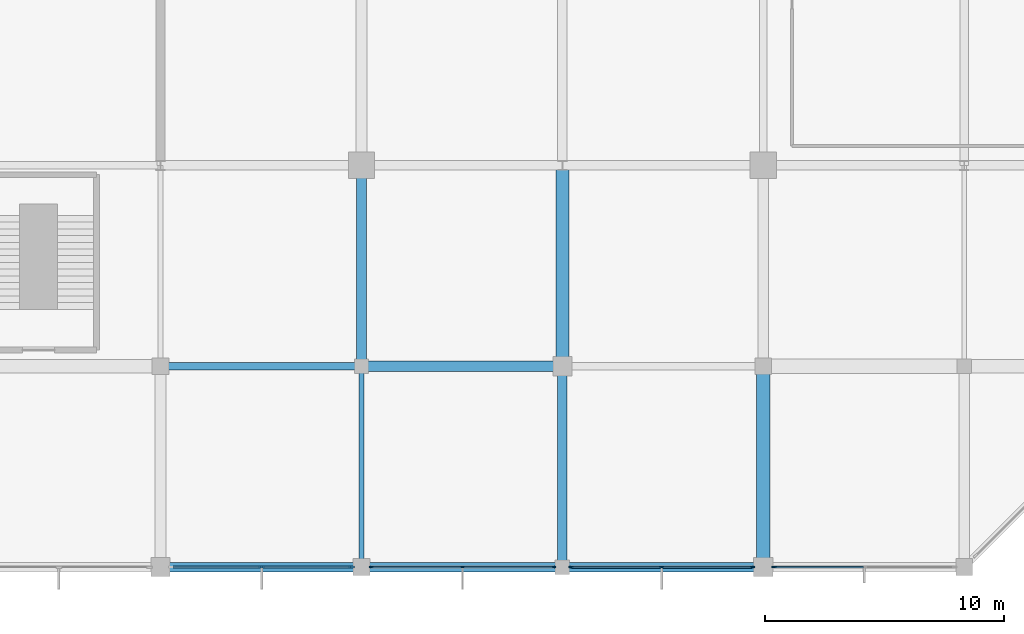
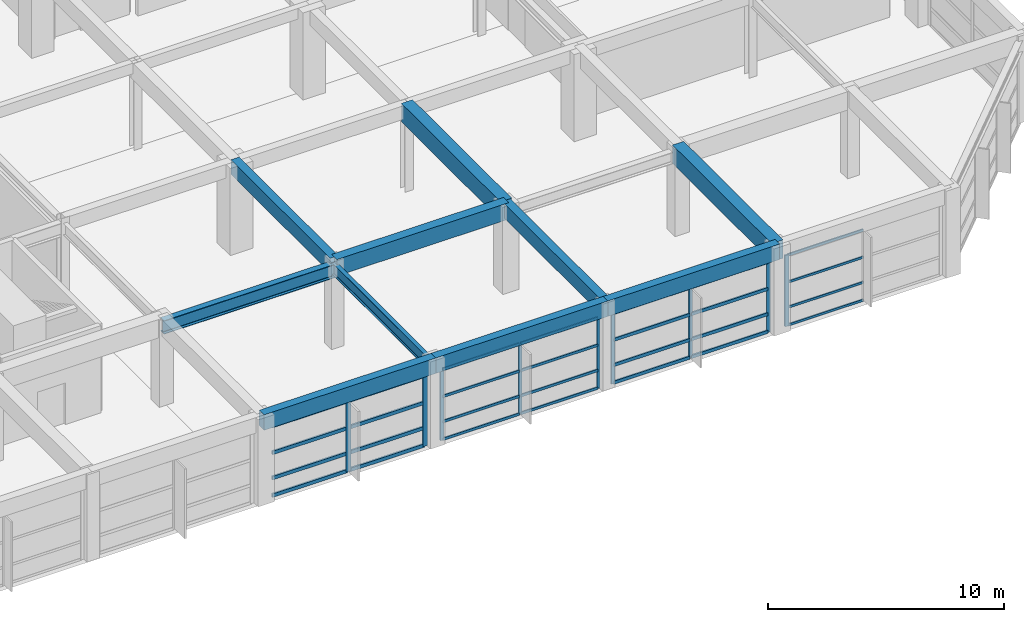
# One storey, part 33 of 62: 37 members, 10 beams, 4 elements without a shape of their own.
"""IFC4 building model written with IfcOpenShell, lengths in metres."""

from ifc_helpers import new_model, si_unit, direction, frame, origin, origin_2d, place, context, subcontext, project, spatial, rectangle, i_section, extrude, material, material_profile, profile_set, type_object, element, aggregate, save


model = new_model("IFC4")

# Units and contexts
model_context = context("Model", 3, precision=1e-05, world=origin(), true_north=direction((0.0, 1.0)))
body_context = subcontext(model_context, "Body", "Model", "MODEL_VIEW")
ifc_project = project(units=[si_unit("LENGTHUNIT", "METRE"), si_unit("AREAUNIT", "SQUARE_METRE"), si_unit("VOLUMEUNIT", "CUBIC_METRE"), si_unit("PLANEANGLEUNIT", "RADIAN"), si_unit("MASSUNIT", "GRAM", prefix="KILO")], contexts=[model_context])

# Site, building, storey
site_placement = place(None, origin())
site = spatial("IfcSite", under=ifc_project, at=site_placement, CompositionType="ELEMENT")
building_placement = place(site_placement, origin())
building = spatial("IfcBuilding", under=site, at=building_placement, Name="Xuanlan Plaza Opera House", CompositionType="ELEMENT")
storey_placement = place(building_placement, frame((0.0, 0.0, 14.39990234375)))
storey = spatial("IfcBuildingStorey", under=building, at=storey_placement, Name="L03", CompositionType="ELEMENT", Elevation=14.39990234375)

# Curtain wall, members
ifc_material_1 = material(Name="Anodised Aluminium 6063-T6 and Low-E Glass", Category="aluminium")
curtain_wall_type_1 = type_object("IfcCurtainWallType", Name="ENV-CW-CW-01", PredefinedType="USERDEFINED", material=ifc_material_1)
curtain_wall_1_placement = place(storey_placement, origin())
curtain_wall_1 = element("IfcCurtainWall", 1, at=curtain_wall_1_placement, inside=storey, type_object=curtain_wall_type_1, Name="Unitised Curtain Wall L03-016", ObjectType="UNITISED CURTAIN WALL", PredefinedType="USERDEFINED")
ifc_material_2 = material(Name="Anodised Aluminium 6063-T6", Category="aluminium")
ifc_material_profile_1 = material_profile(ifc_material_2, rectangle(XDim=0.06494140625, YDim=0.159912109375, at=origin_2d()), Name="ALU-M 65x160")
ifc_profile_set_1 = profile_set([ifc_material_profile_1], Name="Anodised Aluminium 6063-T6")
member_type_1 = type_object("IfcMemberType", Name="ENV-CWM-01", PredefinedType="MULLION", material=ifc_profile_set_1)
member_1_placement = place(storey_placement, frame((134.802490234375, 16.800048828125, 0.0), z_axis=(0.0, 0.0, 1.0), x_axis=(0.0, 1.0, 0.0)))
member_1 = element("IfcMember", 2, at=member_1_placement, type_object=member_type_1, Name="CW-01 mullion 1", PredefinedType="MULLION", context=body_context, shape_type="SweptSolid", body=[
    extrude(rectangle(XDim=0.06494140625, YDim=0.159912109375, at=origin_2d()), origin(), (0.0, 0.0, 1.0), 3.68017578125),
])
member_2_placement = place(storey_placement, frame((138.625, 16.800048828125, 0.0), z_axis=(0.0, 0.0, 1.0), x_axis=(0.0, 1.0, 0.0)))
member_2 = element("IfcMember", 3, at=member_2_placement, type_object=member_type_1, Name="CW-01 mullion 2", PredefinedType="MULLION", context=body_context, shape_type="SweptSolid", body=[
    extrude(rectangle(XDim=0.06494140625, YDim=0.159912109375, at=origin_2d()), origin(), (0.0, 0.0, 1.0), 3.68017578125),
])
member_3_placement = place(storey_placement, frame((142.447509765625, 16.800048828125, 0.0), z_axis=(0.0, 0.0, 1.0), x_axis=(0.0, 1.0, 0.0)))
member_3 = element("IfcMember", 4, at=member_3_placement, type_object=member_type_1, Name="CW-01 mullion 3", PredefinedType="MULLION", context=body_context, shape_type="SweptSolid", body=[
    extrude(rectangle(XDim=0.06494140625, YDim=0.159912109375, at=origin_2d()), origin(), (0.0, 0.0, 1.0), 3.68017578125),
])

curtain_wall_type_2 = type_object("IfcCurtainWallType", Name="ENV-CW-CW-02", PredefinedType="USERDEFINED", material=ifc_material_1)
curtain_wall_2_placement = place(storey_placement, origin())
curtain_wall_2 = element("IfcCurtainWall", 5, at=curtain_wall_2_placement, inside=storey, type_object=curtain_wall_type_2, Name="Unitised Curtain Wall L03-017", ObjectType="UNITISED CURTAIN WALL", PredefinedType="USERDEFINED")
ifc_material_profile_2 = material_profile(ifc_material_2, rectangle(XDim=0.070068359375, YDim=0.179931640625, at=origin_2d()), Name="ALU-M 70x180")
ifc_profile_set_2 = profile_set([ifc_material_profile_2], Name="Anodised Aluminium 6063-T6")
member_type_2 = type_object("IfcMemberType", Name="ENV-CWM-02", PredefinedType="MULLION", material=ifc_profile_set_2)
member_4_placement = place(storey_placement, frame((143.155029296875, 16.800048828125, 0.0), z_axis=(0.0, 0.0, 1.0), x_axis=(0.0, 1.0, 0.0)))
member_4 = element("IfcMember", 6, at=member_4_placement, type_object=member_type_2, Name="CW-02 mullion 1", PredefinedType="MULLION", context=body_context, shape_type="SweptSolid", body=[
    extrude(rectangle(XDim=0.070068359375, YDim=0.179931640625, at=origin_2d()), origin(), (0.0, 0.0, 1.0), 3.68017578125),
])
member_5_placement = place(storey_placement, frame((146.949951171875, 16.800048828125, 0.0), z_axis=(0.0, 0.0, 1.0), x_axis=(0.0, 1.0, 0.0)))
member_5 = element("IfcMember", 7, at=member_5_placement, type_object=member_type_2, Name="CW-02 mullion 2", PredefinedType="MULLION", context=body_context, shape_type="SweptSolid", body=[
    extrude(rectangle(XDim=0.070068359375, YDim=0.179931640625, at=origin_2d()), origin(), (0.0, 0.0, 1.0), 3.68017578125),
])
member_6_placement = place(storey_placement, frame((150.7451171875, 16.800048828125, 0.0), z_axis=(0.0, 0.0, 1.0), x_axis=(0.0, 1.0, 0.0)))
member_6 = element("IfcMember", 8, at=member_6_placement, type_object=member_type_2, Name="CW-02 mullion 3", PredefinedType="MULLION", context=body_context, shape_type="SweptSolid", body=[
    extrude(rectangle(XDim=0.070068359375, YDim=0.179931640625, at=origin_2d()), origin(), (0.0, 0.0, 1.0), 3.68017578125),
])

# Curtain wall, member
curtain_wall_type_3 = type_object("IfcCurtainWallType", Name="ENV-CW-CW-03", PredefinedType="USERDEFINED", material=ifc_material_1)
curtain_wall_3_placement = place(storey_placement, origin())
curtain_wall_3 = element("IfcCurtainWall", 9, at=curtain_wall_3_placement, inside=storey, type_object=curtain_wall_type_3, Name="Unitised Curtain Wall L03-018", ObjectType="UNITISED CURTAIN WALL", PredefinedType="USERDEFINED")
ifc_material_profile_3 = material_profile(ifc_material_2, rectangle(XDim=0.074951171875, YDim=0.199951171875, at=origin_2d()), Name="ALU-M 75x200")
ifc_profile_set_3 = profile_set([ifc_material_profile_3], Name="Anodised Aluminium 6063-T6")
member_type_3 = type_object("IfcMemberType", Name="ENV-CWM-03", PredefinedType="MULLION", material=ifc_profile_set_3)
member_7_placement = place(storey_placement, frame((151.657470703125, 16.800048828125, 0.0), z_axis=(0.0, 0.0, 1.0), x_axis=(0.0, 1.0, 0.0)))
member_7 = element("IfcMember", 10, at=member_7_placement, type_object=member_type_3, Name="CW-03 mullion 1", PredefinedType="MULLION", context=body_context, shape_type="SweptSolid", body=[
    extrude(rectangle(XDim=0.074951171875, YDim=0.199951171875, at=origin_2d()), origin(), (0.0, 0.0, 1.0), 3.68017578125),
])

# Curtain wall, members
curtain_wall_type_4 = type_object("IfcCurtainWallType", Name="ENV-CW-CW-06", PredefinedType="USERDEFINED", material=ifc_material_1)
curtain_wall_4_placement = place(storey_placement, origin())
curtain_wall_4 = element("IfcCurtainWall", 11, at=curtain_wall_4_placement, inside=storey, type_object=curtain_wall_type_4, Name="Acoustic Glazed Wall L03-015", ObjectType="ACOUSTIC GLAZED WALL", PredefinedType="USERDEFINED")
ifc_material_profile_4 = material_profile(ifc_material_2, rectangle(XDim=0.090087890625, YDim=0.25, at=origin_2d()), Name="ALU-M 90x250")
ifc_profile_set_4 = profile_set([ifc_material_profile_4], Name="Anodised Aluminium 6063-T6")
member_type_4 = type_object("IfcMemberType", Name="ENV-CWM-05", PredefinedType="MULLION", material=ifc_profile_set_4)
member_8_placement = place(storey_placement, frame((130.22509765625, 16.800048828125, 0.0), z_axis=(0.0, 0.0, 1.0), x_axis=(0.0, 1.0, 0.0)))
member_8 = element("IfcMember", 12, at=member_8_placement, type_object=member_type_4, Name="CW-06 mullion 2", PredefinedType="MULLION", context=body_context, shape_type="SweptSolid", body=[
    extrude(rectangle(XDim=0.090087890625, YDim=0.25, at=origin_2d()), origin(), (0.0, 0.0, 1.0), 3.68017578125),
])
member_9_placement = place(storey_placement, frame((133.985107421875, 16.800048828125, 0.0), z_axis=(0.0, 0.0, 1.0), x_axis=(0.0, 1.0, 0.0)))
member_9 = element("IfcMember", 13, at=member_9_placement, type_object=member_type_4, Name="CW-06 mullion 3", PredefinedType="MULLION", context=body_context, shape_type="SweptSolid", body=[
    extrude(rectangle(XDim=0.090087890625, YDim=0.25, at=origin_2d()), origin(), (0.0, 0.0, 1.0), 3.68017578125),
])

# Member
ifc_material_profile_5 = material_profile(ifc_material_2, rectangle(XDim=0.06494140625, YDim=0.1201171875, at=origin_2d()), Name="ALU-T 65x120")
ifc_profile_set_5 = profile_set([ifc_material_profile_5], Name="Anodised Aluminium 6063-T6")
member_type_5 = type_object("IfcMemberType", Name="ENV-CWT-01", PredefinedType="USERDEFINED", material=ifc_profile_set_5)
member_10_placement = place(storey_placement, frame((151.695068359375, 16.800048828125, 0.03271484375), z_axis=(1.0, 0.0, 0.0), x_axis=(0.0, 1.0, 0.0)))
member_10 = element("IfcMember", 14, at=member_10_placement, type_object=member_type_5, Name="CW-03 transom 1.1", ObjectType="TRANSOM", PredefinedType="USERDEFINED", context=body_context, shape_type="SweptSolid", body=[
    extrude(rectangle(XDim=0.06494140625, YDim=0.1201171875, at=origin_2d()), origin(), (0.0, 0.0, 1.0), 3.6923828125),
])

member_11_placement = place(storey_placement, frame((151.695068359375, 16.800048828125, 0.9501953125), z_axis=(1.0, 0.0, 0.0), x_axis=(0.0, 1.0, 0.0)))
member_11 = element("IfcMember", 15, at=member_11_placement, type_object=member_type_5, Name="CW-03 transom 1.2", ObjectType="TRANSOM", PredefinedType="USERDEFINED", context=body_context, shape_type="SweptSolid", body=[
    extrude(rectangle(XDim=0.06494140625, YDim=0.1201171875, at=origin_2d()), origin(), (0.0, 0.0, 1.0), 3.6923828125),
])

member_12_placement = place(storey_placement, frame((151.695068359375, 16.800048828125, 2.25), z_axis=(1.0, 0.0, 0.0), x_axis=(0.0, 1.0, 0.0)))
member_12 = element("IfcMember", 16, at=member_12_placement, type_object=member_type_5, Name="CW-03 transom 1.3", ObjectType="TRANSOM", PredefinedType="USERDEFINED", context=body_context, shape_type="SweptSolid", body=[
    extrude(rectangle(XDim=0.06494140625, YDim=0.1201171875, at=origin_2d()), origin(), (0.0, 0.0, 1.0), 3.6923828125),
])

member_13_placement = place(storey_placement, frame((151.695068359375, 16.800048828125, 3.647705078125), z_axis=(1.0, 0.0, 0.0), x_axis=(0.0, 1.0, 0.0)))
member_13 = element("IfcMember", 17, at=member_13_placement, type_object=member_type_5, Name="CW-03 transom 1.4", ObjectType="TRANSOM", PredefinedType="USERDEFINED", context=body_context, shape_type="SweptSolid", body=[
    extrude(rectangle(XDim=0.06494140625, YDim=0.1201171875, at=origin_2d()), origin(), (0.0, 0.0, 1.0), 3.6923828125),
])

aggregate(curtain_wall_3, [member_7, member_10, member_11, member_12, member_13])

ifc_material_profile_6 = material_profile(ifc_material_2, rectangle(XDim=0.070068359375, YDim=0.135009765625, at=origin_2d()), Name="ALU-T 70x135")
ifc_profile_set_6 = profile_set([ifc_material_profile_6], Name="Anodised Aluminium 6063-T6")
member_type_6 = type_object("IfcMemberType", Name="ENV-CWT-02", PredefinedType="USERDEFINED", material=ifc_profile_set_6)
member_14_placement = place(storey_placement, frame((134.8349609375, 16.800048828125, 0.03515625), z_axis=(1.0, 0.0, 0.0), x_axis=(0.0, 1.0, 0.0)))
member_14 = element("IfcMember", 18, at=member_14_placement, type_object=member_type_6, Name="CW-01 transom 1.1", ObjectType="TRANSOM", PredefinedType="USERDEFINED", context=body_context, shape_type="SweptSolid", body=[
    extrude(rectangle(XDim=0.070068359375, YDim=0.135009765625, at=origin_2d()), origin(), (0.0, 0.0, 1.0), 3.757568359375),
])

member_15_placement = place(storey_placement, frame((134.8349609375, 16.800048828125, 0.9501953125), z_axis=(1.0, 0.0, 0.0), x_axis=(0.0, 1.0, 0.0)))
member_15 = element("IfcMember", 19, at=member_15_placement, type_object=member_type_6, Name="CW-01 transom 1.2", ObjectType="TRANSOM", PredefinedType="USERDEFINED", context=body_context, shape_type="SweptSolid", body=[
    extrude(rectangle(XDim=0.070068359375, YDim=0.135009765625, at=origin_2d()), origin(), (0.0, 0.0, 1.0), 3.757568359375),
])

member_16_placement = place(storey_placement, frame((134.8349609375, 16.800048828125, 2.25), z_axis=(1.0, 0.0, 0.0), x_axis=(0.0, 1.0, 0.0)))
member_16 = element("IfcMember", 20, at=member_16_placement, type_object=member_type_6, Name="CW-01 transom 1.3", ObjectType="TRANSOM", PredefinedType="USERDEFINED", context=body_context, shape_type="SweptSolid", body=[
    extrude(rectangle(XDim=0.070068359375, YDim=0.135009765625, at=origin_2d()), origin(), (0.0, 0.0, 1.0), 3.757568359375),
])

member_17_placement = place(storey_placement, frame((134.8349609375, 16.800048828125, 3.64501953125), z_axis=(1.0, 0.0, 0.0), x_axis=(0.0, 1.0, 0.0)))
member_17 = element("IfcMember", 21, at=member_17_placement, type_object=member_type_6, Name="CW-01 transom 1.4", ObjectType="TRANSOM", PredefinedType="USERDEFINED", context=body_context, shape_type="SweptSolid", body=[
    extrude(rectangle(XDim=0.070068359375, YDim=0.135009765625, at=origin_2d()), origin(), (0.0, 0.0, 1.0), 3.757568359375),
])

member_18_placement = place(storey_placement, frame((138.657470703125, 16.800048828125, 0.03515625), z_axis=(1.0, 0.0, 0.0), x_axis=(0.0, 1.0, 0.0)))
member_18 = element("IfcMember", 22, at=member_18_placement, type_object=member_type_6, Name="CW-01 transom 2.1", ObjectType="TRANSOM", PredefinedType="USERDEFINED", context=body_context, shape_type="SweptSolid", body=[
    extrude(rectangle(XDim=0.070068359375, YDim=0.135009765625, at=origin_2d()), origin(), (0.0, 0.0, 1.0), 3.757568359375),
])

member_19_placement = place(storey_placement, frame((138.657470703125, 16.800048828125, 0.9501953125), z_axis=(1.0, 0.0, 0.0), x_axis=(0.0, 1.0, 0.0)))
member_19 = element("IfcMember", 23, at=member_19_placement, type_object=member_type_6, Name="CW-01 transom 2.2", ObjectType="TRANSOM", PredefinedType="USERDEFINED", context=body_context, shape_type="SweptSolid", body=[
    extrude(rectangle(XDim=0.070068359375, YDim=0.135009765625, at=origin_2d()), origin(), (0.0, 0.0, 1.0), 3.757568359375),
])

member_20_placement = place(storey_placement, frame((138.657470703125, 16.800048828125, 2.25), z_axis=(1.0, 0.0, 0.0), x_axis=(0.0, 1.0, 0.0)))
member_20 = element("IfcMember", 24, at=member_20_placement, type_object=member_type_6, Name="CW-01 transom 2.3", ObjectType="TRANSOM", PredefinedType="USERDEFINED", context=body_context, shape_type="SweptSolid", body=[
    extrude(rectangle(XDim=0.070068359375, YDim=0.135009765625, at=origin_2d()), origin(), (0.0, 0.0, 1.0), 3.757568359375),
])

member_21_placement = place(storey_placement, frame((138.657470703125, 16.800048828125, 3.64501953125), z_axis=(1.0, 0.0, 0.0), x_axis=(0.0, 1.0, 0.0)))
member_21 = element("IfcMember", 25, at=member_21_placement, type_object=member_type_6, Name="CW-01 transom 2.4", ObjectType="TRANSOM", PredefinedType="USERDEFINED", context=body_context, shape_type="SweptSolid", body=[
    extrude(rectangle(XDim=0.070068359375, YDim=0.135009765625, at=origin_2d()), origin(), (0.0, 0.0, 1.0), 3.757568359375),
])

aggregate(curtain_wall_1, [member_1, member_2, member_3, member_14, member_15, member_16, member_17, member_18, member_19, member_20, member_21])

ifc_material_profile_7 = material_profile(ifc_material_2, rectangle(XDim=0.080078125, YDim=0.1650390625, at=origin_2d()), Name="ALU-T 80x165")
ifc_profile_set_7 = profile_set([ifc_material_profile_7], Name="Anodised Aluminium 6063-T6")
member_type_7 = type_object("IfcMemberType", Name="ENV-CWT-04", PredefinedType="USERDEFINED", material=ifc_profile_set_7)
member_22_placement = place(storey_placement, frame((143.18994140625, 16.800048828125, 0.0400390625), z_axis=(1.0, 0.0, 0.0), x_axis=(0.0, 1.0, 0.0)))
member_22 = element("IfcMember", 26, at=member_22_placement, type_object=member_type_7, Name="CW-02 transom 1.1", ObjectType="TRANSOM", PredefinedType="USERDEFINED", context=body_context, shape_type="SweptSolid", body=[
    extrude(rectangle(XDim=0.080078125, YDim=0.1650390625, at=origin_2d()), origin(), (0.0, 0.0, 1.0), 3.72509765625),
])

member_23_placement = place(storey_placement, frame((143.18994140625, 16.800048828125, 0.9501953125), z_axis=(1.0, 0.0, 0.0), x_axis=(0.0, 1.0, 0.0)))
member_23 = element("IfcMember", 27, at=member_23_placement, type_object=member_type_7, Name="CW-02 transom 1.2", ObjectType="TRANSOM", PredefinedType="USERDEFINED", context=body_context, shape_type="SweptSolid", body=[
    extrude(rectangle(XDim=0.080078125, YDim=0.1650390625, at=origin_2d()), origin(), (0.0, 0.0, 1.0), 3.72509765625),
])

member_24_placement = place(storey_placement, frame((143.18994140625, 16.800048828125, 2.25), z_axis=(1.0, 0.0, 0.0), x_axis=(0.0, 1.0, 0.0)))
member_24 = element("IfcMember", 28, at=member_24_placement, type_object=member_type_7, Name="CW-02 transom 1.3", ObjectType="TRANSOM", PredefinedType="USERDEFINED", context=body_context, shape_type="SweptSolid", body=[
    extrude(rectangle(XDim=0.080078125, YDim=0.1650390625, at=origin_2d()), origin(), (0.0, 0.0, 1.0), 3.72509765625),
])

member_25_placement = place(storey_placement, frame((143.18994140625, 16.800048828125, 3.64013671875), z_axis=(1.0, 0.0, 0.0), x_axis=(0.0, 1.0, 0.0)))
member_25 = element("IfcMember", 29, at=member_25_placement, type_object=member_type_7, Name="CW-02 transom 1.4", ObjectType="TRANSOM", PredefinedType="USERDEFINED", context=body_context, shape_type="SweptSolid", body=[
    extrude(rectangle(XDim=0.080078125, YDim=0.1650390625, at=origin_2d()), origin(), (0.0, 0.0, 1.0), 3.72509765625),
])

member_26_placement = place(storey_placement, frame((146.985107421875, 16.800048828125, 0.0400390625), z_axis=(1.0, 0.0, 0.0), x_axis=(0.0, 1.0, 0.0)))
member_26 = element("IfcMember", 30, at=member_26_placement, type_object=member_type_7, Name="CW-02 transom 2.1", ObjectType="TRANSOM", PredefinedType="USERDEFINED", context=body_context, shape_type="SweptSolid", body=[
    extrude(rectangle(XDim=0.080078125, YDim=0.1650390625, at=origin_2d()), origin(), (0.0, 0.0, 1.0), 3.724853515625),
])

member_27_placement = place(storey_placement, frame((146.985107421875, 16.800048828125, 0.9501953125), z_axis=(1.0, 0.0, 0.0), x_axis=(0.0, 1.0, 0.0)))
member_27 = element("IfcMember", 31, at=member_27_placement, type_object=member_type_7, Name="CW-02 transom 2.2", ObjectType="TRANSOM", PredefinedType="USERDEFINED", context=body_context, shape_type="SweptSolid", body=[
    extrude(rectangle(XDim=0.080078125, YDim=0.1650390625, at=origin_2d()), origin(), (0.0, 0.0, 1.0), 3.724853515625),
])

member_28_placement = place(storey_placement, frame((146.985107421875, 16.800048828125, 2.25), z_axis=(1.0, 0.0, 0.0), x_axis=(0.0, 1.0, 0.0)))
member_28 = element("IfcMember", 32, at=member_28_placement, type_object=member_type_7, Name="CW-02 transom 2.3", ObjectType="TRANSOM", PredefinedType="USERDEFINED", context=body_context, shape_type="SweptSolid", body=[
    extrude(rectangle(XDim=0.080078125, YDim=0.1650390625, at=origin_2d()), origin(), (0.0, 0.0, 1.0), 3.724853515625),
])

member_29_placement = place(storey_placement, frame((146.985107421875, 16.800048828125, 3.64013671875), z_axis=(1.0, 0.0, 0.0), x_axis=(0.0, 1.0, 0.0)))
member_29 = element("IfcMember", 33, at=member_29_placement, type_object=member_type_7, Name="CW-02 transom 2.4", ObjectType="TRANSOM", PredefinedType="USERDEFINED", context=body_context, shape_type="SweptSolid", body=[
    extrude(rectangle(XDim=0.080078125, YDim=0.1650390625, at=origin_2d()), origin(), (0.0, 0.0, 1.0), 3.724853515625),
])

aggregate(curtain_wall_2, [member_4, member_5, member_6, member_22, member_23, member_24, member_25, member_26, member_27, member_28, member_29])

ifc_material_profile_8 = material_profile(ifc_material_2, rectangle(XDim=0.090087890625, YDim=0.179931640625, at=origin_2d()), Name="ALU-T 90x180")
ifc_profile_set_8 = profile_set([ifc_material_profile_8], Name="Anodised Aluminium 6063-T6")
member_type_8 = type_object("IfcMemberType", Name="ENV-CWT-05", PredefinedType="USERDEFINED", material=ifc_profile_set_8)
member_30_placement = place(storey_placement, frame((126.510009765625, 16.800048828125, 0.045166015625), z_axis=(1.0, 0.0, 0.0), x_axis=(0.0, 1.0, 0.0)))
member_30 = element("IfcMember", 34, at=member_30_placement, type_object=member_type_8, Name="CW-06 transom 1.1", ObjectType="TRANSOM", PredefinedType="USERDEFINED", context=body_context, shape_type="SweptSolid", body=[
    extrude(rectangle(XDim=0.090087890625, YDim=0.179931640625, at=origin_2d()), origin(), (0.0, 0.0, 1.0), 3.669921875),
])

member_31_placement = place(storey_placement, frame((126.510009765625, 16.800048828125, 0.9501953125), z_axis=(1.0, 0.0, 0.0), x_axis=(0.0, 1.0, 0.0)))
member_31 = element("IfcMember", 35, at=member_31_placement, type_object=member_type_8, Name="CW-06 transom 1.2", ObjectType="TRANSOM", PredefinedType="USERDEFINED", context=body_context, shape_type="SweptSolid", body=[
    extrude(rectangle(XDim=0.090087890625, YDim=0.179931640625, at=origin_2d()), origin(), (0.0, 0.0, 1.0), 3.669921875),
])

member_32_placement = place(storey_placement, frame((126.510009765625, 16.800048828125, 2.25), z_axis=(1.0, 0.0, 0.0), x_axis=(0.0, 1.0, 0.0)))
member_32 = element("IfcMember", 36, at=member_32_placement, type_object=member_type_8, Name="CW-06 transom 1.3", ObjectType="TRANSOM", PredefinedType="USERDEFINED", context=body_context, shape_type="SweptSolid", body=[
    extrude(rectangle(XDim=0.090087890625, YDim=0.179931640625, at=origin_2d()), origin(), (0.0, 0.0, 1.0), 3.669921875),
])

member_33_placement = place(storey_placement, frame((126.510009765625, 16.800048828125, 3.635009765625), z_axis=(1.0, 0.0, 0.0), x_axis=(0.0, 1.0, 0.0)))
member_33 = element("IfcMember", 37, at=member_33_placement, type_object=member_type_8, Name="CW-06 transom 1.4", ObjectType="TRANSOM", PredefinedType="USERDEFINED", context=body_context, shape_type="SweptSolid", body=[
    extrude(rectangle(XDim=0.090087890625, YDim=0.179931640625, at=origin_2d()), origin(), (0.0, 0.0, 1.0), 3.669921875),
])

member_34_placement = place(storey_placement, frame((130.27001953125, 16.800048828125, 0.045166015625), z_axis=(1.0, 0.0, 0.0), x_axis=(0.0, 1.0, 0.0)))
member_34 = element("IfcMember", 38, at=member_34_placement, type_object=member_type_8, Name="CW-06 transom 2.1", ObjectType="TRANSOM", PredefinedType="USERDEFINED", context=body_context, shape_type="SweptSolid", body=[
    extrude(rectangle(XDim=0.090087890625, YDim=0.179931640625, at=origin_2d()), origin(), (0.0, 0.0, 1.0), 3.669921875),
])

member_35_placement = place(storey_placement, frame((130.27001953125, 16.800048828125, 0.9501953125), z_axis=(1.0, 0.0, 0.0), x_axis=(0.0, 1.0, 0.0)))
member_35 = element("IfcMember", 39, at=member_35_placement, type_object=member_type_8, Name="CW-06 transom 2.2", ObjectType="TRANSOM", PredefinedType="USERDEFINED", context=body_context, shape_type="SweptSolid", body=[
    extrude(rectangle(XDim=0.090087890625, YDim=0.179931640625, at=origin_2d()), origin(), (0.0, 0.0, 1.0), 3.669921875),
])

member_36_placement = place(storey_placement, frame((130.27001953125, 16.800048828125, 2.25), z_axis=(1.0, 0.0, 0.0), x_axis=(0.0, 1.0, 0.0)))
member_36 = element("IfcMember", 40, at=member_36_placement, type_object=member_type_8, Name="CW-06 transom 2.3", ObjectType="TRANSOM", PredefinedType="USERDEFINED", context=body_context, shape_type="SweptSolid", body=[
    extrude(rectangle(XDim=0.090087890625, YDim=0.179931640625, at=origin_2d()), origin(), (0.0, 0.0, 1.0), 3.669921875),
])

member_37_placement = place(storey_placement, frame((130.27001953125, 16.800048828125, 3.635009765625), z_axis=(1.0, 0.0, 0.0), x_axis=(0.0, 1.0, 0.0)))
member_37 = element("IfcMember", 41, at=member_37_placement, type_object=member_type_8, Name="CW-06 transom 2.4", ObjectType="TRANSOM", PredefinedType="USERDEFINED", context=body_context, shape_type="SweptSolid", body=[
    extrude(rectangle(XDim=0.090087890625, YDim=0.179931640625, at=origin_2d()), origin(), (0.0, 0.0, 1.0), 3.669921875),
])

aggregate(curtain_wall_4, [member_8, member_9, member_30, member_31, member_32, member_33, member_34, member_35, member_36, member_37])

# Beams
ifc_material_3 = material(Name="Concrete C50", Category="concrete")
ifc_material_profile_9 = material_profile(ifc_material_3, rectangle(XDim=0.550048828125, YDim=0.949951171875, at=origin_2d()), Name="RC-BM 550x950")
ifc_profile_set_9 = profile_set([ifc_material_profile_9], Name="Concrete C50")
beam_type_1 = type_object("IfcBeamType", Name="STR-BM-B-02", PredefinedType="BEAM", material=ifc_profile_set_9)
beam_1_placement = place(storey_placement, frame((142.800048828125, 25.199951171875, 4.025146484375), z_axis=(0.0, 1.0, 0.0), x_axis=(-1.0, 0.0, 0.0)))
element("IfcBeam", 42, at=beam_1_placement, inside=storey, type_object=beam_type_1, Name="Grid Beam Y L03 18/D-E", PredefinedType="BEAM", context=body_context, shape_type="SweptSolid", body=[
    extrude(rectangle(XDim=0.550048828125, YDim=0.949951171875, at=origin_2d()), origin(), (0.0, 0.0, 1.0), 8.400146484375),
])
beam_2_placement = place(storey_placement, frame((151.199951171875, 16.800048828125, 4.025146484375), z_axis=(0.0, 1.0, 0.0), x_axis=(-1.0, 0.0, 0.0)))
element("IfcBeam", 43, at=beam_2_placement, inside=storey, type_object=beam_type_1, Name="Grid Beam Y L03 19/C-D", PredefinedType="BEAM", context=body_context, shape_type="SweptSolid", body=[
    extrude(rectangle(XDim=0.550048828125, YDim=0.949951171875, at=origin_2d()), origin(), (0.0, 0.0, 1.0), 8.39990234375),
])
ifc_material_4 = material(Name="Concrete C40", Category="concrete")
ifc_material_profile_10 = material_profile(ifc_material_4, rectangle(XDim=0.449951171875, YDim=0.85009765625, at=origin_2d()), Name="RC-BM 450x850")
ifc_profile_set_10 = profile_set([ifc_material_profile_10], Name="Concrete C40")
beam_type_2 = type_object("IfcBeamType", Name="STR-BM-B-04", PredefinedType="BEAM", material=ifc_profile_set_10)
beam_3_placement = place(storey_placement, frame((134.39990234375, 25.199951171875, 4.0751953125), z_axis=(1.0, 0.0, 0.0), x_axis=(0.0, 1.0, 0.0)))
element("IfcBeam", 44, at=beam_3_placement, inside=storey, type_object=beam_type_2, Name="Grid Beam X L03 17-18/D", PredefinedType="BEAM", context=body_context, shape_type="SweptSolid", body=[
    extrude(rectangle(XDim=0.449951171875, YDim=0.85009765625, at=origin_2d()), origin(), (0.0, 0.0, 1.0), 8.400146484375),
])
ifc_material_profile_11 = material_profile(ifc_material_4, rectangle(XDim=0.39990234375, YDim=0.75, at=origin_2d()), Name="RC-BM 400x750")
ifc_profile_set_11 = profile_set([ifc_material_profile_11], Name="Concrete C40")
beam_type_3 = type_object("IfcBeamType", Name="STR-BM-B-06", PredefinedType="BEAM", material=ifc_profile_set_11)
beam_4_placement = place(storey_placement, frame((134.39990234375, 25.199951171875, 4.125), z_axis=(0.0, 1.0, 0.0), x_axis=(-1.0, 0.0, 0.0)))
element("IfcBeam", 45, at=beam_4_placement, inside=storey, type_object=beam_type_3, Name="Grid Beam Y L03 17/D-E", PredefinedType="BEAM", context=body_context, shape_type="SweptSolid", body=[
    extrude(rectangle(XDim=0.39990234375, YDim=0.75, at=origin_2d()), origin(), (0.0, 0.0, 1.0), 8.400146484375),
])
beam_5_placement = place(storey_placement, frame((142.800048828125, 16.800048828125, 4.125), z_axis=(0.0, 1.0, 0.0), x_axis=(-1.0, 0.0, 0.0)))
element("IfcBeam", 46, at=beam_5_placement, inside=storey, type_object=beam_type_3, Name="Grid Beam Y L03 18/C-D", PredefinedType="BEAM", context=body_context, shape_type="SweptSolid", body=[
    extrude(rectangle(XDim=0.39990234375, YDim=0.75, at=origin_2d()), origin(), (0.0, 0.0, 1.0), 8.39990234375),
])
ifc_material_5 = material(Name="Steel Q355B", Category="steel")
ifc_material_profile_12 = material_profile(ifc_material_5, i_section(OverallWidth=0.300048828125, OverallDepth=0.699951171875, WebThickness=0.012939453125, FlangeThickness=0.02392578125, FilletRadius=0.02392578125, at=origin_2d()), Name="HN 700x300x13x24")
ifc_profile_set_12 = profile_set([ifc_material_profile_12], Name="Steel Q355B")
beam_type_4 = type_object("IfcBeamType", Name="STR-BM-SB-03", PredefinedType="BEAM", material=ifc_profile_set_12)
beam_6_placement = place(storey_placement, frame((126.0, 25.199951171875, 3.885009765625), z_axis=(1.0, 0.0, 0.0), x_axis=(0.0, 1.0, 0.0)))
element("IfcBeam", 47, at=beam_6_placement, inside=storey, type_object=beam_type_4, Name="Grid Beam X L03 16-17/D", PredefinedType="BEAM", context=body_context, shape_type="SweptSolid", body=[
    extrude(i_section(OverallWidth=0.300048828125, OverallDepth=0.699951171875, WebThickness=0.012939453125, FlangeThickness=0.02392578125, FilletRadius=0.02392578125, at=origin_2d()), origin(), (0.0, 0.0, 1.0), 8.39990234375),
])
ifc_material_profile_13 = material_profile(ifc_material_5, i_section(OverallWidth=0.199951171875, OverallDepth=0.60009765625, WebThickness=0.010986328125, FlangeThickness=0.01708984375, FilletRadius=0.02197265625, at=origin_2d()), Name="HN 600x200x11x17")
ifc_profile_set_13 = profile_set([ifc_material_profile_13], Name="Steel Q355B")
beam_type_5 = type_object("IfcBeamType", Name="STR-BM-SB-04", PredefinedType="BEAM", material=ifc_profile_set_13)
beam_7_placement = place(storey_placement, frame((134.39990234375, 16.800048828125, 3.93505859375), z_axis=(0.0, 1.0, 0.0), x_axis=(-1.0, 0.0, 0.0)))
element("IfcBeam", 48, at=beam_7_placement, inside=storey, type_object=beam_type_5, Name="Grid Beam Y L03 17/C-D", PredefinedType="BEAM", context=body_context, shape_type="SweptSolid", body=[
    extrude(i_section(OverallWidth=0.199951171875, OverallDepth=0.60009765625, WebThickness=0.010986328125, FlangeThickness=0.01708984375, FilletRadius=0.02197265625, at=origin_2d()), origin(), (0.0, 0.0, 1.0), 8.39990234375),
])
ifc_material_profile_14 = material_profile(ifc_material_4, rectangle(XDim=0.39990234375, YDim=0.800048828125, at=origin_2d()), Name="RC-SPD 400x800")
ifc_profile_set_14 = profile_set([ifc_material_profile_14], Name="Concrete C40")
beam_type_6 = type_object("IfcBeamType", Name="STR-BM-SP-01", PredefinedType="SPANDREL", material=ifc_profile_set_14)
beam_8_placement = place(storey_placement, frame((126.0, 16.800048828125, 4.10009765625), z_axis=(1.0, 0.0, 0.0), x_axis=(0.0, 1.0, 0.0)))
element("IfcBeam", 49, at=beam_8_placement, inside=storey, type_object=beam_type_6, Name="Grid Beam X L03 16-17/C", PredefinedType="SPANDREL", context=body_context, shape_type="SweptSolid", body=[
    extrude(rectangle(XDim=0.39990234375, YDim=0.800048828125, at=origin_2d()), origin(), (0.0, 0.0, 1.0), 8.39990234375),
])
beam_9_placement = place(storey_placement, frame((134.39990234375, 16.800048828125, 4.10009765625), z_axis=(1.0, 0.0, 0.0), x_axis=(0.0, 1.0, 0.0)))
element("IfcBeam", 50, at=beam_9_placement, inside=storey, type_object=beam_type_6, Name="Grid Beam X L03 17-18/C", PredefinedType="SPANDREL", context=body_context, shape_type="SweptSolid", body=[
    extrude(rectangle(XDim=0.39990234375, YDim=0.800048828125, at=origin_2d()), origin(), (0.0, 0.0, 1.0), 8.400146484375),
])
beam_10_placement = place(storey_placement, frame((142.800048828125, 16.800048828125, 4.10009765625), z_axis=(1.0, 0.0, 0.0), x_axis=(0.0, 1.0, 0.0)))
element("IfcBeam", 51, at=beam_10_placement, inside=storey, type_object=beam_type_6, Name="Grid Beam X L03 18-19/C", PredefinedType="SPANDREL", context=body_context, shape_type="SweptSolid", body=[
    extrude(rectangle(XDim=0.39990234375, YDim=0.800048828125, at=origin_2d()), origin(), (0.0, 0.0, 1.0), 8.39990234375),
])

save(model, "model.ifc")
